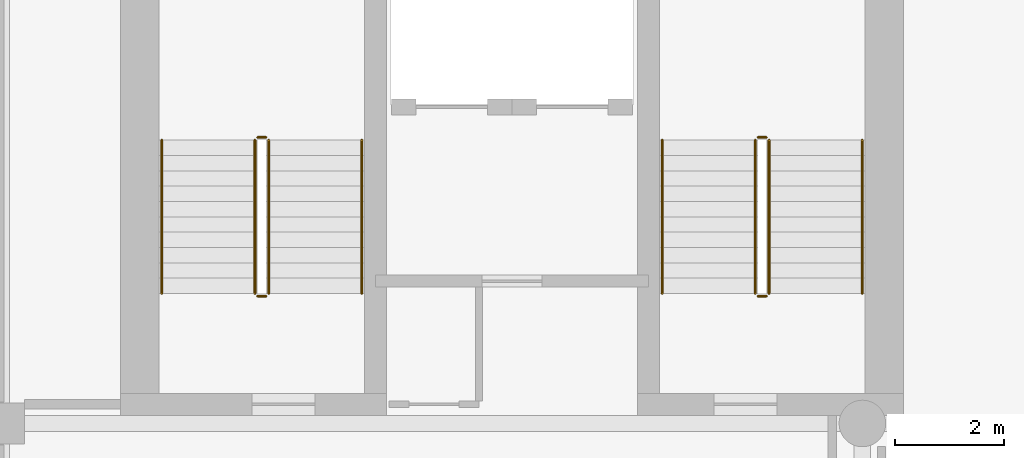
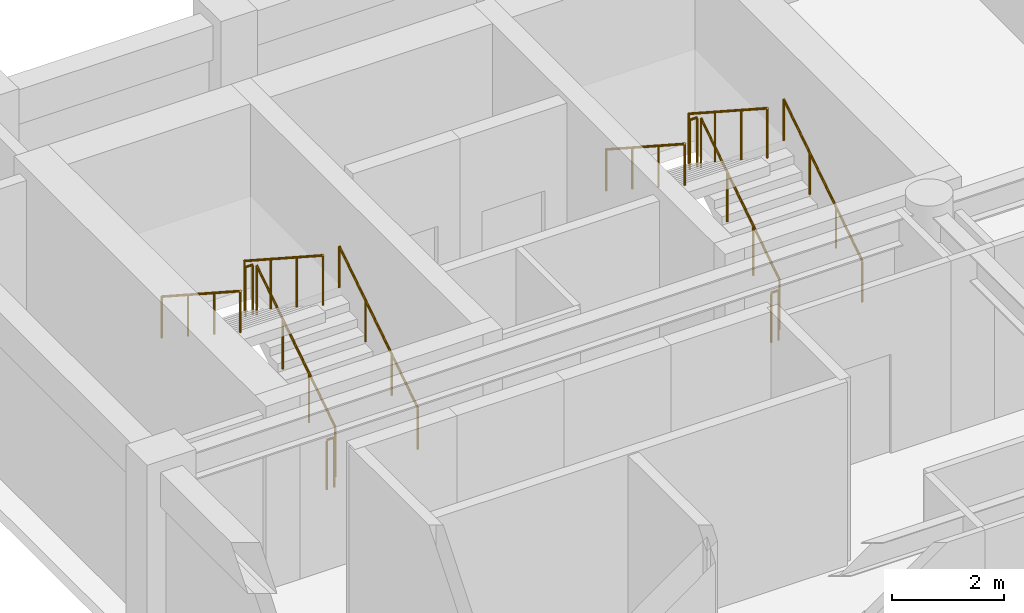
# One storey, part 7 of 8: 12 railings.
"""IFC4 building model written with IfcOpenShell, lengths in metres."""

from ifc_helpers import new_model, si_unit, direction, frame, origin, origin_2d, place, context, subcontext, project, spatial, circle, extrude, material, type_object, element, save


model = new_model("IFC4")

# Units and contexts
model_context = context("Model", 3, precision=1e-05, world=origin(), true_north=direction((0.0, 1.0)))
body_context = subcontext(model_context, "Body", "Model", "MODEL_VIEW")
ifc_project = project(units=[si_unit("LENGTHUNIT", "METRE"), si_unit("AREAUNIT", "SQUARE_METRE"), si_unit("VOLUMEUNIT", "CUBIC_METRE"), si_unit("PLANEANGLEUNIT", "RADIAN"), si_unit("MASSUNIT", "GRAM", prefix="KILO")], contexts=[model_context])

# Site, building, storey
site_placement = place(None, origin())
site = spatial("IfcSite", under=ifc_project, at=site_placement, CompositionType="ELEMENT")
building_placement = place(site_placement, origin())
building = spatial("IfcBuilding", under=site, at=building_placement, Name="Sulina Concourse Tower", CompositionType="ELEMENT")
storey_placement = place(building_placement, frame((0.0, 0.0, 230.60009765625)))
storey = spatial("IfcBuildingStorey", under=building, at=storey_placement, Name="L56", CompositionType="ELEMENT", Elevation=230.60009765625)

# Railings
ifc_material_1 = material(Name="Galvanised steel railing", Category="steel")
railing_type_1 = type_object("IfcRailingType", Name="Core Stair Steel Guardrail 1150mm", PredefinedType="GUARDRAIL", material=ifc_material_1)
railing_1_placement = place(storey_placement, frame((5.554931640625, 36.375, 0.181640625)))
element("IfcRailing", 1, at=railing_1_placement, inside=storey, type_object=railing_type_1, Name="L56 ST-1 stair guard 1", PredefinedType="GUARDRAIL", context=body_context, shape_type="SweptSolid", body=[
    extrude(circle(Radius=0.02392578125, at=origin_2d()), frame((0.0, 0.0, 1.076171875), z_axis=(0.0, 0.838672427954, 0.544636170843), x_axis=(-1.0, 0.0, 0.0)), (0.0, 0.0, 1.0), 3.338623046875),
    extrude(circle(Radius=0.02099609375, at=origin_2d()), origin(), (0.0, 0.0, 1.0), 1.052001953125),
    extrude(circle(Radius=0.02099609375, at=origin_2d()), frame((0.0, 0.933349609375, 0.606201171875)), (0.0, 0.0, 1.0), 1.052001953125),
    extrude(circle(Radius=0.02099609375, at=origin_2d()), frame((0.0, 1.86669921875, 1.212158203125)), (0.0, 0.0, 1.0), 1.052001953125),
    extrude(circle(Radius=0.02099609375, at=origin_2d()), frame((0.0, 2.800048828125, 1.818359375)), (0.0, 0.0, 1.0), 1.052001953125),
])
railing_2_placement = place(storey_placement, frame((5.5048828125, 39.22509765625, 2.0)))
element("IfcRailing", 2, at=railing_2_placement, inside=storey, type_object=railing_type_1, Name="L56 ST-1 stair guard 2", PredefinedType="GUARDRAIL", context=body_context, shape_type="SweptSolid", body=[
    extrude(circle(Radius=0.02392578125, at=origin_2d()), frame((0.0, 0.0, 1.076171875), z_axis=(-1.0, 0.0, 0.0), x_axis=(0.0, -1.0, 0.0)), (0.0, 0.0, 1.0), 0.14990234375),
    extrude(circle(Radius=0.02099609375, at=origin_2d()), origin(), (0.0, 0.0, 1.0), 1.052001953125),
    extrude(circle(Radius=0.02099609375, at=origin_2d()), frame((-0.14990234375, 0.0, 0.0)), (0.0, 0.0, 1.0), 1.052001953125),
])
railing_3_placement = place(storey_placement, frame((5.304931640625, 39.175048828125, 2.181640625)))
element("IfcRailing", 3, at=railing_3_placement, inside=storey, type_object=railing_type_1, Name="L56 ST-1 stair guard 3", PredefinedType="GUARDRAIL", context=body_context, shape_type="SweptSolid", body=[
    extrude(circle(Radius=0.02392578125, at=origin_2d()), frame((0.0, 0.0, 1.076171875), z_axis=(0.0, -0.838672427954, 0.544636170843), x_axis=(1.0, 0.0, 0.0)), (0.0, 0.0, 1.0), 3.338623046875),
    extrude(circle(Radius=0.02099609375, at=origin_2d()), origin(), (0.0, 0.0, 1.0), 1.052001953125),
    extrude(circle(Radius=0.02099609375, at=origin_2d()), frame((0.0, -0.933349609375, 0.606201171875)), (0.0, 0.0, 1.0), 1.052001953125),
    extrude(circle(Radius=0.02099609375, at=origin_2d()), frame((0.0, -1.86669921875, 1.212158203125)), (0.0, 0.0, 1.0), 1.052001953125),
    extrude(circle(Radius=0.02099609375, at=origin_2d()), frame((0.0, -2.800048828125, 1.818359375)), (0.0, 0.0, 1.0), 1.052001953125),
])
railing_4_placement = place(storey_placement, frame((5.5048828125, 36.324951171875, 0.0)))
element("IfcRailing", 4, at=railing_4_placement, inside=storey, type_object=railing_type_1, Name="L56 ST-1 stair guard 4", PredefinedType="GUARDRAIL", context=body_context, shape_type="SweptSolid", body=[
    extrude(circle(Radius=0.02392578125, at=origin_2d()), frame((0.0, 0.0, 1.076171875), z_axis=(-1.0, 0.0, 0.0), x_axis=(0.0, -1.0, 0.0)), (0.0, 0.0, 1.0), 0.14990234375),
    extrude(circle(Radius=0.02099609375, at=origin_2d()), origin(), (0.0, 0.0, 1.0), 1.052001953125),
    extrude(circle(Radius=0.02099609375, at=origin_2d()), frame((-0.14990234375, 0.0, 0.0)), (0.0, 0.0, 1.0), 1.052001953125),
])
railing_5_placement = place(storey_placement, frame((14.695068359375, 36.375, 0.181640625)))
element("IfcRailing", 5, at=railing_5_placement, inside=storey, type_object=railing_type_1, Name="L56 ST-2 stair guard 1", PredefinedType="GUARDRAIL", context=body_context, shape_type="SweptSolid", body=[
    extrude(circle(Radius=0.02392578125, at=origin_2d()), frame((0.0, 0.0, 1.076171875), z_axis=(0.0, 0.838672427954, 0.544636170843), x_axis=(-1.0, 0.0, 0.0)), (0.0, 0.0, 1.0), 3.338623046875),
    extrude(circle(Radius=0.02099609375, at=origin_2d()), origin(), (0.0, 0.0, 1.0), 1.052001953125),
    extrude(circle(Radius=0.02099609375, at=origin_2d()), frame((0.0, 0.933349609375, 0.606201171875)), (0.0, 0.0, 1.0), 1.052001953125),
    extrude(circle(Radius=0.02099609375, at=origin_2d()), frame((0.0, 1.86669921875, 1.212158203125)), (0.0, 0.0, 1.0), 1.052001953125),
    extrude(circle(Radius=0.02099609375, at=origin_2d()), frame((0.0, 2.800048828125, 1.818359375)), (0.0, 0.0, 1.0), 1.052001953125),
])
railing_6_placement = place(storey_placement, frame((14.64501953125, 39.22509765625, 2.0)))
element("IfcRailing", 6, at=railing_6_placement, inside=storey, type_object=railing_type_1, Name="L56 ST-2 stair guard 2", PredefinedType="GUARDRAIL", context=body_context, shape_type="SweptSolid", body=[
    extrude(circle(Radius=0.02392578125, at=origin_2d()), frame((0.0, 0.0, 1.076171875), z_axis=(-1.0, 0.0, 0.0), x_axis=(0.0, -1.0, 0.0)), (0.0, 0.0, 1.0), 0.14990234375),
    extrude(circle(Radius=0.02099609375, at=origin_2d()), origin(), (0.0, 0.0, 1.0), 1.052001953125),
    extrude(circle(Radius=0.02099609375, at=origin_2d()), frame((-0.14990234375, 0.0, 0.0)), (0.0, 0.0, 1.0), 1.052001953125),
])
railing_7_placement = place(storey_placement, frame((14.445068359375, 39.175048828125, 2.181640625)))
element("IfcRailing", 7, at=railing_7_placement, inside=storey, type_object=railing_type_1, Name="L56 ST-2 stair guard 3", PredefinedType="GUARDRAIL", context=body_context, shape_type="SweptSolid", body=[
    extrude(circle(Radius=0.02392578125, at=origin_2d()), frame((0.0, 0.0, 1.076171875), z_axis=(0.0, -0.838672427954, 0.544636170843), x_axis=(1.0, 0.0, 0.0)), (0.0, 0.0, 1.0), 3.338623046875),
    extrude(circle(Radius=0.02099609375, at=origin_2d()), origin(), (0.0, 0.0, 1.0), 1.052001953125),
    extrude(circle(Radius=0.02099609375, at=origin_2d()), frame((0.0, -0.933349609375, 0.606201171875)), (0.0, 0.0, 1.0), 1.052001953125),
    extrude(circle(Radius=0.02099609375, at=origin_2d()), frame((0.0, -1.86669921875, 1.212158203125)), (0.0, 0.0, 1.0), 1.052001953125),
    extrude(circle(Radius=0.02099609375, at=origin_2d()), frame((0.0, -2.800048828125, 1.818359375)), (0.0, 0.0, 1.0), 1.052001953125),
])
railing_8_placement = place(storey_placement, frame((14.64501953125, 36.324951171875, 0.0)))
element("IfcRailing", 8, at=railing_8_placement, inside=storey, type_object=railing_type_1, Name="L56 ST-2 stair guard 4", PredefinedType="GUARDRAIL", context=body_context, shape_type="SweptSolid", body=[
    extrude(circle(Radius=0.02392578125, at=origin_2d()), frame((0.0, 0.0, 1.076171875), z_axis=(-1.0, 0.0, 0.0), x_axis=(0.0, -1.0, 0.0)), (0.0, 0.0, 1.0), 0.14990234375),
    extrude(circle(Radius=0.02099609375, at=origin_2d()), origin(), (0.0, 0.0, 1.0), 1.052001953125),
    extrude(circle(Radius=0.02099609375, at=origin_2d()), frame((-0.14990234375, 0.0, 0.0)), (0.0, 0.0, 1.0), 1.052001953125),
])
ifc_material_2 = material(Name="Galvanised steel railing", Category="steel")
railing_type_2 = type_object("IfcRailingType", Name="Stair Wall Steel Handrail 920mm", PredefinedType="HANDRAIL", material=ifc_material_2)
railing_9_placement = place(storey_placement, frame((7.2548828125, 36.375, 0.181640625)))
element("IfcRailing", 9, at=railing_9_placement, inside=storey, type_object=railing_type_2, Name="L56 ST-1 stair handrail 1", PredefinedType="HANDRAIL", context=body_context, shape_type="SweptSolid", body=[
    extrude(circle(Radius=0.02392578125, at=origin_2d()), frame((0.0, 0.0, 0.89599609375), z_axis=(0.0, 0.838672427954, 0.544636170843), x_axis=(-1.0, 0.0, 0.0)), (0.0, 0.0, 1.0), 3.338623046875),
    extrude(circle(Radius=0.02099609375, at=origin_2d()), origin(), (0.0, 0.0, 1.0), 0.871826171875),
    extrude(circle(Radius=0.02099609375, at=origin_2d()), frame((0.0, 0.933349609375, 0.606201171875)), (0.0, 0.0, 1.0), 0.871826171875),
    extrude(circle(Radius=0.02099609375, at=origin_2d()), frame((0.0, 1.86669921875, 1.212158203125)), (0.0, 0.0, 1.0), 0.871826171875),
    extrude(circle(Radius=0.02099609375, at=origin_2d()), frame((0.0, 2.800048828125, 1.818359375)), (0.0, 0.0, 1.0), 0.871826171875),
])
railing_10_placement = place(storey_placement, frame((3.60498046875, 39.175048828125, 2.181640625)))
element("IfcRailing", 10, at=railing_10_placement, inside=storey, type_object=railing_type_2, Name="L56 ST-1 stair handrail 2", PredefinedType="HANDRAIL", context=body_context, shape_type="SweptSolid", body=[
    extrude(circle(Radius=0.02392578125, at=origin_2d()), frame((0.0, 0.0, 0.89599609375), z_axis=(0.0, -0.838672427954, 0.544636170843), x_axis=(1.0, 0.0, 0.0)), (0.0, 0.0, 1.0), 3.338623046875),
    extrude(circle(Radius=0.02099609375, at=origin_2d()), origin(), (0.0, 0.0, 1.0), 0.871826171875),
    extrude(circle(Radius=0.02099609375, at=origin_2d()), frame((0.0, -0.933349609375, 0.606201171875)), (0.0, 0.0, 1.0), 0.871826171875),
    extrude(circle(Radius=0.02099609375, at=origin_2d()), frame((0.0, -1.86669921875, 1.212158203125)), (0.0, 0.0, 1.0), 0.871826171875),
    extrude(circle(Radius=0.02099609375, at=origin_2d()), frame((0.0, -2.800048828125, 1.818359375)), (0.0, 0.0, 1.0), 0.871826171875),
])
railing_11_placement = place(storey_placement, frame((16.39501953125, 36.375, 0.181640625)))
element("IfcRailing", 11, at=railing_11_placement, inside=storey, type_object=railing_type_2, Name="L56 ST-2 stair handrail 1", PredefinedType="HANDRAIL", context=body_context, shape_type="SweptSolid", body=[
    extrude(circle(Radius=0.02392578125, at=origin_2d()), frame((0.0, 0.0, 0.89599609375), z_axis=(0.0, 0.838672427954, 0.544636170843), x_axis=(-1.0, 0.0, 0.0)), (0.0, 0.0, 1.0), 3.338623046875),
    extrude(circle(Radius=0.02099609375, at=origin_2d()), origin(), (0.0, 0.0, 1.0), 0.871826171875),
    extrude(circle(Radius=0.02099609375, at=origin_2d()), frame((0.0, 0.933349609375, 0.606201171875)), (0.0, 0.0, 1.0), 0.871826171875),
    extrude(circle(Radius=0.02099609375, at=origin_2d()), frame((0.0, 1.86669921875, 1.212158203125)), (0.0, 0.0, 1.0), 0.871826171875),
    extrude(circle(Radius=0.02099609375, at=origin_2d()), frame((0.0, 2.800048828125, 1.818359375)), (0.0, 0.0, 1.0), 0.871826171875),
])
railing_12_placement = place(storey_placement, frame((12.7451171875, 39.175048828125, 2.181640625)))
element("IfcRailing", 12, at=railing_12_placement, inside=storey, type_object=railing_type_2, Name="L56 ST-2 stair handrail 2", PredefinedType="HANDRAIL", context=body_context, shape_type="SweptSolid", body=[
    extrude(circle(Radius=0.02392578125, at=origin_2d()), frame((0.0, 0.0, 0.89599609375), z_axis=(0.0, -0.838672427954, 0.544636170843), x_axis=(1.0, 0.0, 0.0)), (0.0, 0.0, 1.0), 3.338623046875),
    extrude(circle(Radius=0.02099609375, at=origin_2d()), origin(), (0.0, 0.0, 1.0), 0.871826171875),
    extrude(circle(Radius=0.02099609375, at=origin_2d()), frame((0.0, -0.933349609375, 0.606201171875)), (0.0, 0.0, 1.0), 0.871826171875),
    extrude(circle(Radius=0.02099609375, at=origin_2d()), frame((0.0, -1.86669921875, 1.212158203125)), (0.0, 0.0, 1.0), 0.871826171875),
    extrude(circle(Radius=0.02099609375, at=origin_2d()), frame((0.0, -2.800048828125, 1.818359375)), (0.0, 0.0, 1.0), 0.871826171875),
])

save(model, "model.ifc")
